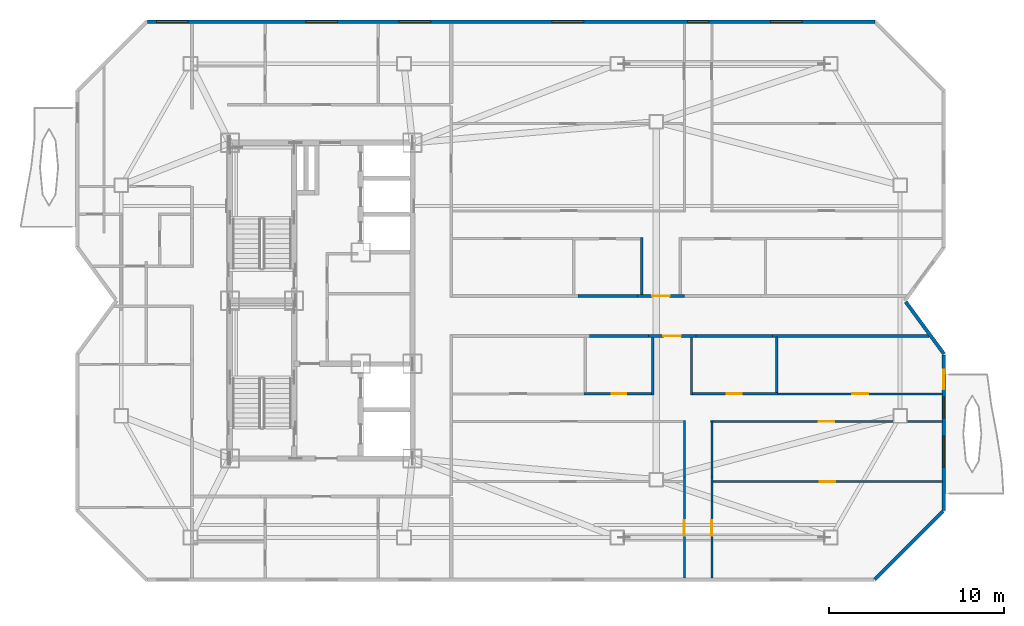
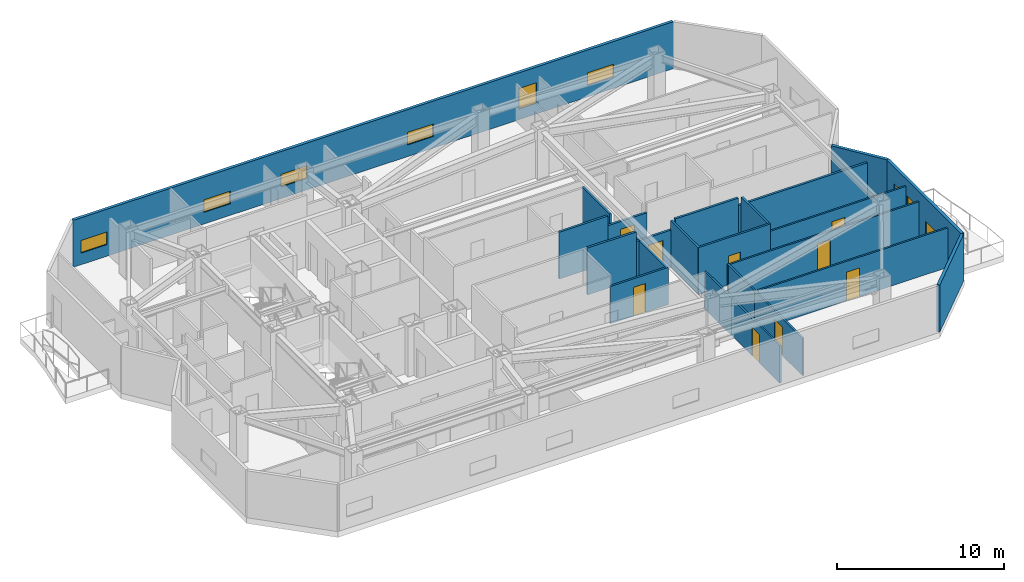
# One storey, part 7 of 10: 23 walls, 10 doors, 8 windows, 18 openings.
"""IFC4 building model written with IfcOpenShell, lengths in metres."""

from ifc_helpers import new_model, si_unit, direction, frame, frame_2d, origin, place, context, subcontext, project, spatial, rectangle, extrude, material, layer, layer_set, type_object, element, fill, save


model = new_model("IFC4")

# Units and contexts
model_context = context("Model", 3, precision=1e-05, world=origin(), true_north=direction((0.0, 1.0)))
body_context = subcontext(model_context, "Body", "Model", "MODEL_VIEW")
ifc_project = project(units=[si_unit("LENGTHUNIT", "METRE"), si_unit("AREAUNIT", "SQUARE_METRE"), si_unit("VOLUMEUNIT", "CUBIC_METRE"), si_unit("PLANEANGLEUNIT", "RADIAN"), si_unit("MASSUNIT", "GRAM", prefix="KILO")], contexts=[model_context])

# Site, building, storey
site_placement = place(None, origin())
site = spatial("IfcSite", under=ifc_project, at=site_placement, CompositionType="ELEMENT")
building_placement = place(site_placement, origin())
building = spatial("IfcBuilding", under=site, at=building_placement, Name="Khamvora Tower", CompositionType="ELEMENT")
storey_placement = place(building_placement, frame((0.0, 0.0, 217.199951171875)))
storey = spatial("IfcBuildingStorey", under=building, at=storey_placement, Name="L55", CompositionType="ELEMENT", Elevation=217.199951171875)

# Wall
ifc_material_1 = material(Name="Fire-Rated Drywall and Steel Stud", Category="steel")
ifc_layer_1 = layer(ifc_material_1, 0.14990234375)
ifc_layer_set_1 = layer_set([ifc_layer_1], Name="Fire-Rated Drywall and Steel Stud")
wall_type_1 = type_object("IfcWallType", Name="WAL-CORR-150", PredefinedType="STANDARD", material=ifc_layer_set_1)
wall_1_placement = place(storey_placement, frame((68.85009765625, 25.985107421875, 0.0), z_axis=(0.0, 0.0, 1.0), x_axis=(-1.0, 0.0, 0.0)))
element("IfcWall", 1, at=wall_1_placement, inside=storey, type_object=wall_type_1, Name="L55 interior partition wall 020", PredefinedType="STANDARD", context=body_context, shape_type="SweptSolid", body=[
    extrude(rectangle(XDim=8.926025390625, YDim=0.14990234375, at=frame_2d((4.462890625, 0.0))), origin(), (0.0, 0.0, 1.0), 2.886962890625),
])

# Wall, opening, door
wall_2_placement = place(storey_placement, frame((55.556884765625, 25.985107421875, 0.0), z_axis=(0.0, 0.0, 1.0), x_axis=(-1.0, 0.0, 0.0)))
wall_2 = element("IfcWall", 2, at=wall_2_placement, inside=storey, type_object=wall_type_1, Name="L55 interior partition wall 021", PredefinedType="STANDARD", context=body_context, shape_type="SweptSolid", body=[
    extrude(rectangle(XDim=2.697998046875, YDim=0.14990234375, at=frame_2d((1.34912109375, 0.0))), origin(), (0.0, 0.0, 1.0), 2.72509765625),
])
opening_1_placement = place(wall_2_placement, frame((0.84912109375, 0.0, 0.0)))
opening_1 = element("IfcOpeningElement", 3, at=opening_1_placement, cuts=wall_2, Name="Opening D-U1", PredefinedType="OPENING", context=body_context, shape_type="SweptSolid", body=[
    extrude(rectangle(XDim=1.0, YDim=2.14990234375, at=frame_2d((0.5, 1.074951171875))), frame((0.0, 0.0849609375, 0.0), z_axis=(0.0, -1.0, 0.0), x_axis=(1.0, 0.0, 0.0)), (0.0, 0.0, 1.0), 0.169921875),
])
ifc_material_2 = material(Name="Powder-Coated Steel and Hardwood Leaf", Category="steel")
door_type_1 = type_object("IfcDoorType", Name="DOR-UNIT-1000", OperationType="NOTDEFINED", PredefinedType="DOOR", material=ifc_material_2)
door_1_placement = place(opening_1_placement, origin())
door_1 = element("IfcDoor", 4, at=door_1_placement, inside=storey, type_object=door_type_1, Name="L55 interior door COR-55EAH", OperationType="SINGLE_SWING_RIGHT", OverallHeight=2.14990234375, OverallWidth=1.0, PredefinedType="DOOR", context=body_context, shape_type="SweptSolid", body=[
    extrude(rectangle(XDim=1.0, YDim=2.14990234375, at=frame_2d((0.5, 1.074951171875))), frame((0.0, 0.02490234375, 0.0), z_axis=(0.0, -1.0, 0.0), x_axis=(1.0, 0.0, 0.0)), (0.0, 0.0, 1.0), 0.050048828125),
])
fill(opening_1, door_1)

# Walls
wall_3_placement = place(storey_placement, frame((52.85888671875, 25.985107421875, 0.0), z_axis=(0.0, 0.0, 1.0), x_axis=(-1.0, 0.0, 0.0)))
element("IfcWall", 5, at=wall_3_placement, inside=storey, type_object=wall_type_1, Name="L55 interior partition wall 023", PredefinedType="STANDARD", context=body_context, shape_type="SweptSolid", body=[
    extrude(rectangle(XDim=3.366943359375, YDim=0.14990234375, at=frame_2d((1.68359375, 0.0))), origin(), (0.0, 0.0, 1.0), 3.429931640625),
])
wall_4_placement = place(storey_placement, frame((59.924072265625, 25.985107421875, 0.0), z_axis=(0.0, 0.0, 1.0), x_axis=(-1.0, 0.0, 0.0)))
element("IfcWall", 6, at=wall_4_placement, inside=storey, type_object=wall_type_1, Name="L55 interior partition wall 024", PredefinedType="STANDARD", context=body_context, shape_type="SweptSolid", body=[
    extrude(rectangle(XDim=4.3671875, YDim=0.14990234375, at=frame_2d((2.18359375, 0.0))), origin(), (0.0, 0.0, 1.0), 3.429931640625),
])

# Wall, opening, door
wall_5_placement = place(storey_placement, frame((52.217041015625, 28.264892578125, 0.0), z_axis=(0.0, 0.0, 1.0), x_axis=(1.0, 0.0, 0.0)))
wall_5 = element("IfcWall", 7, at=wall_5_placement, inside=storey, type_object=wall_type_1, Name="L55 interior partition wall 031", PredefinedType="STANDARD", context=body_context, shape_type="SweptSolid", body=[
    extrude(rectangle(XDim=2.697998046875, YDim=0.14990234375, at=frame_2d((1.34912109375, 0.0))), origin(), (0.0, 0.0, 1.0), 2.72509765625),
])
opening_2_placement = place(wall_5_placement, frame((0.84912109375, 0.0, 0.0)))
opening_2 = element("IfcOpeningElement", 8, at=opening_2_placement, cuts=wall_5, Name="Opening D-U1", PredefinedType="OPENING", context=body_context, shape_type="SweptSolid", body=[
    extrude(rectangle(XDim=1.0, YDim=2.14990234375, at=frame_2d((0.5, 1.074951171875))), frame((0.0, 0.0849609375, 0.0), z_axis=(0.0, -1.0, 0.0), x_axis=(1.0, 0.0, 0.0)), (0.0, 0.0, 1.0), 0.169921875),
])
door_2_placement = place(opening_2_placement, origin())
door_2 = element("IfcDoor", 9, at=door_2_placement, inside=storey, type_object=door_type_1, Name="L55 interior door COR-55EBH", OperationType="SINGLE_SWING_LEFT", OverallHeight=2.14990234375, OverallWidth=1.0, PredefinedType="DOOR", context=body_context, shape_type="SweptSolid", body=[
    extrude(rectangle(XDim=1.0, YDim=2.14990234375, at=frame_2d((0.5, 1.074951171875))), frame((0.0, 0.02490234375, 0.0), z_axis=(0.0, -1.0, 0.0), x_axis=(1.0, 0.0, 0.0)), (0.0, 0.0, 1.0), 0.050048828125),
])
fill(opening_2, door_2)

# Wall
wall_6_placement = place(storey_placement, frame((48.85009765625, 28.264892578125, 0.0), z_axis=(0.0, 0.0, 1.0), x_axis=(1.0, 0.0, 0.0)))
element("IfcWall", 10, at=wall_6_placement, inside=storey, type_object=wall_type_1, Name="L55 interior partition wall 032", PredefinedType="STANDARD", context=body_context, shape_type="SweptSolid", body=[
    extrude(rectangle(XDim=3.366943359375, YDim=0.14990234375, at=frame_2d((1.68359375, 0.0))), origin(), (0.0, 0.0, 1.0), 3.429931640625),
])

# Wall, openings, windows
ifc_material_3 = material(Name="Precast concrete C40/50", Category="concrete")
ifc_layer_2 = layer(ifc_material_3, 0.199951171875)
ifc_layer_set_2 = layer_set([ifc_layer_2], Name="Precast concrete C40/50")
wall_type_2 = type_object("IfcWallType", Name="WAL-EXT-200", PredefinedType="STANDARD", material=ifc_layer_set_2)
wall_7_placement = place(storey_placement, frame((24.302001953125, 43.89990234375, 0.0), z_axis=(0.0, 0.0, 1.0), x_axis=(1.0, 0.0, 0.0)))
wall_7 = element("IfcWall", 11, at=wall_7_placement, inside=storey, type_object=wall_type_2, Name="L55 exterior facade wall 07.1", PredefinedType="STANDARD", context=body_context, shape_type="SweptSolid", body=[
    extrude(rectangle(XDim=41.45703125, YDim=0.199951171875, at=frame_2d((20.728515625, 0.0))), origin(), (0.0, 0.0, 1.0), 3.429931640625),
])
opening_3_placement = place(wall_7_placement, frame((0.509033203125, 0.0, 0.85009765625)))
opening_3 = element("IfcOpeningElement", 12, at=opening_3_placement, cuts=wall_7, Name="Opening WN-09", PredefinedType="OPENING", context=body_context, shape_type="SweptSolid", body=[
    extrude(rectangle(XDim=1.800048828125, YDim=0.919921875, at=frame_2d((0.89990234375, 0.4599609375))), frame((0.0, 0.10986328125, 0.0), z_axis=(0.0, -1.0, 0.0), x_axis=(1.0, 0.0, 0.0)), (0.0, 0.0, 1.0), 0.219970703125),
])
opening_4_placement = place(wall_7_placement, frame((9.02294921875, 0.0, 0.85009765625)))
opening_4 = element("IfcOpeningElement", 13, at=opening_4_placement, cuts=wall_7, Name="Opening WN-09", PredefinedType="OPENING", context=body_context, shape_type="SweptSolid", body=[
    extrude(rectangle(XDim=1.800048828125, YDim=0.919921875, at=frame_2d((0.89990234375, 0.4599609375))), frame((0.0, 0.10986328125, 0.0), z_axis=(0.0, -1.0, 0.0), x_axis=(1.0, 0.0, 0.0)), (0.0, 0.0, 1.0), 0.219970703125),
])
opening_5_placement = place(wall_7_placement, frame((14.330078125, 0.0, 0.85009765625)))
opening_5 = element("IfcOpeningElement", 14, at=opening_5_placement, cuts=wall_7, Name="Opening WN-09", PredefinedType="OPENING", context=body_context, shape_type="SweptSolid", body=[
    extrude(rectangle(XDim=1.800048828125, YDim=0.919921875, at=frame_2d((0.89990234375, 0.4599609375))), frame((0.0, 0.10986328125, 0.0), z_axis=(0.0, -1.0, 0.0), x_axis=(1.0, 0.0, 0.0)), (0.0, 0.0, 1.0), 0.219970703125),
])
opening_6_placement = place(wall_7_placement, frame((30.782958984375, 0.0, 0.780029296875)))
opening_6 = element("IfcOpeningElement", 15, at=opening_6_placement, cuts=wall_7, Name="Opening WN-03", PredefinedType="OPENING", context=body_context, shape_type="SweptSolid", body=[
    extrude(rectangle(XDim=1.199951171875, YDim=1.5, at=frame_2d((0.60009765625, 0.75))), frame((0.0, 0.10986328125, 0.0), z_axis=(0.0, -1.0, 0.0), x_axis=(1.0, 0.0, 0.0)), (0.0, 0.0, 1.0), 0.219970703125),
])
opening_7_placement = place(wall_7_placement, frame((23.055908203125, 0.0, 0.85009765625)))
opening_7 = element("IfcOpeningElement", 16, at=opening_7_placement, cuts=wall_7, Name="Opening WN-09", PredefinedType="OPENING", context=body_context, shape_type="SweptSolid", body=[
    extrude(rectangle(XDim=1.800048828125, YDim=0.919921875, at=frame_2d((0.89990234375, 0.4599609375))), frame((0.0, 0.10986328125, 0.0), z_axis=(0.0, -1.0, 0.0), x_axis=(1.0, 0.0, 0.0)), (0.0, 0.0, 1.0), 0.219970703125),
])
opening_8_placement = place(wall_7_placement, frame((35.52001953125, 0.0, 0.85009765625)))
opening_8 = element("IfcOpeningElement", 17, at=opening_8_placement, cuts=wall_7, Name="Opening WN-09", PredefinedType="OPENING", context=body_context, shape_type="SweptSolid", body=[
    extrude(rectangle(XDim=1.800048828125, YDim=0.919921875, at=frame_2d((0.89990234375, 0.4599609375))), frame((0.0, 0.10986328125, 0.0), z_axis=(0.0, -1.0, 0.0), x_axis=(1.0, 0.0, 0.0)), (0.0, 0.0, 1.0), 0.219970703125),
])
ifc_material_4 = material(Name="Low-E Laminated Double Glazing", Category="glass")
window_type_1 = type_object("IfcWindowType", Name="WIN-CLR-1800x920", PartitioningType="SINGLE_PANEL", PredefinedType="WINDOW", material=ifc_material_4)
window_1_placement = place(opening_3_placement, origin())
window_1 = element("IfcWindow", 18, at=window_1_placement, inside=storey, type_object=window_type_1, Name="L55 vision window 07.1.01", OverallHeight=0.919921875, OverallWidth=1.800048828125, PartitioningType="SINGLE_PANEL", PredefinedType="WINDOW", context=body_context, shape_type="SweptSolid", body=[
    extrude(rectangle(XDim=1.800048828125, YDim=0.919921875, at=frame_2d((0.89990234375, 0.4599609375))), frame((0.0, 0.030029296875, 0.0), z_axis=(0.0, -1.0, 0.0), x_axis=(1.0, 0.0, 0.0)), (0.0, 0.0, 1.0), 0.06005859375),
])
fill(opening_3, window_1)
window_2_placement = place(opening_4_placement, origin())
window_2 = element("IfcWindow", 19, at=window_2_placement, inside=storey, type_object=window_type_1, Name="L55 vision window 07.1.02", OverallHeight=0.919921875, OverallWidth=1.800048828125, PartitioningType="SINGLE_PANEL", PredefinedType="WINDOW", context=body_context, shape_type="SweptSolid", body=[
    extrude(rectangle(XDim=1.800048828125, YDim=0.919921875, at=frame_2d((0.89990234375, 0.4599609375))), frame((0.0, 0.030029296875, 0.0), z_axis=(0.0, -1.0, 0.0), x_axis=(1.0, 0.0, 0.0)), (0.0, 0.0, 1.0), 0.06005859375),
])
fill(opening_4, window_2)
window_3_placement = place(opening_5_placement, origin())
window_3 = element("IfcWindow", 20, at=window_3_placement, inside=storey, type_object=window_type_1, Name="L55 vision window 07.1.03", OverallHeight=0.919921875, OverallWidth=1.800048828125, PartitioningType="SINGLE_PANEL", PredefinedType="WINDOW", context=body_context, shape_type="SweptSolid", body=[
    extrude(rectangle(XDim=1.800048828125, YDim=0.919921875, at=frame_2d((0.89990234375, 0.4599609375))), frame((0.0, 0.030029296875, 0.0), z_axis=(0.0, -1.0, 0.0), x_axis=(1.0, 0.0, 0.0)), (0.0, 0.0, 1.0), 0.06005859375),
])
fill(opening_5, window_3)
window_4_placement = place(opening_7_placement, origin())
window_4 = element("IfcWindow", 21, at=window_4_placement, inside=storey, type_object=window_type_1, Name="L55 vision window 07.1.05", OverallHeight=0.919921875, OverallWidth=1.800048828125, PartitioningType="SINGLE_PANEL", PredefinedType="WINDOW", context=body_context, shape_type="SweptSolid", body=[
    extrude(rectangle(XDim=1.800048828125, YDim=0.919921875, at=frame_2d((0.89990234375, 0.4599609375))), frame((0.0, 0.030029296875, 0.0), z_axis=(0.0, -1.0, 0.0), x_axis=(1.0, 0.0, 0.0)), (0.0, 0.0, 1.0), 0.06005859375),
])
fill(opening_7, window_4)
window_5_placement = place(opening_8_placement, origin())
window_5 = element("IfcWindow", 22, at=window_5_placement, inside=storey, type_object=window_type_1, Name="L55 vision window 07.1.06", OverallHeight=0.919921875, OverallWidth=1.800048828125, PartitioningType="SINGLE_PANEL", PredefinedType="WINDOW", context=body_context, shape_type="SweptSolid", body=[
    extrude(rectangle(XDim=1.800048828125, YDim=0.919921875, at=frame_2d((0.89990234375, 0.4599609375))), frame((0.0, 0.030029296875, 0.0), z_axis=(0.0, -1.0, 0.0), x_axis=(1.0, 0.0, 0.0)), (0.0, 0.0, 1.0), 0.06005859375),
])
fill(opening_8, window_5)
window_type_2 = type_object("IfcWindowType", Name="WIN-VIS-1200x1500", PartitioningType="SINGLE_PANEL", PredefinedType="WINDOW", material=ifc_material_4)
window_6_placement = place(opening_6_placement, origin())
window_6 = element("IfcWindow", 23, at=window_6_placement, inside=storey, type_object=window_type_2, Name="L55 vision window 07.1.04", OverallHeight=1.5, OverallWidth=1.199951171875, PartitioningType="SINGLE_PANEL", PredefinedType="WINDOW", context=body_context, shape_type="SweptSolid", body=[
    extrude(rectangle(XDim=1.199951171875, YDim=1.5, at=frame_2d((0.60009765625, 0.75))), frame((0.0, 0.030029296875, 0.0), z_axis=(0.0, -1.0, 0.0), x_axis=(1.0, 0.0, 0.0)), (0.0, 0.0, 1.0), 0.06005859375),
])
fill(opening_6, window_6)

# Wall
wall_8_placement = place(storey_placement, frame((67.527099609375, 27.930908203125, 0.0), z_axis=(0.0, 0.0, 1.0), x_axis=(0.591248456881, -0.80648946815, 0.0)))
element("IfcWall", 24, at=wall_8_placement, inside=storey, type_object=wall_type_2, Name="L55 exterior facade wall 11.1", PredefinedType="STANDARD", context=body_context, shape_type="SweptSolid", body=[
    extrude(rectangle(XDim=3.675048828125, YDim=0.199951171875, at=frame_2d((1.83740234375, 0.0))), origin(), (0.0, 0.0, 1.0), 3.429931640625),
])

# Wall, openings, door, windows
wall_9_placement = place(storey_placement, frame((69.699951171875, 24.916015625, 0.0), z_axis=(0.0, 0.0, 1.0), x_axis=(0.0, -1.0, 0.0)))
wall_9 = element("IfcWall", 25, at=wall_9_placement, inside=storey, type_object=wall_type_2, Name="L55 exterior facade wall 12.1", PredefinedType="STANDARD", context=body_context, shape_type="SweptSolid", body=[
    extrude(rectangle(XDim=8.875, YDim=0.199951171875, at=frame_2d((4.4375, 0.0))), origin(), (0.0, 0.0, 1.0), 3.429931640625),
])
opening_9_placement = place(wall_9_placement, frame((0.865966796875, 0.0, 0.0)))
opening_9 = element("IfcOpeningElement", 26, at=opening_9_placement, cuts=wall_9, Name="Opening BD-01", PredefinedType="OPENING", context=body_context, shape_type="SweptSolid", body=[
    extrude(rectangle(XDim=1.10009765625, YDim=2.199951171875, at=frame_2d((0.550048828125, 1.10009765625))), frame((0.0, 0.10986328125, 0.0), z_axis=(0.0, -1.0, 0.0), x_axis=(1.0, 0.0, 0.0)), (0.0, 0.0, 1.0), 0.219970703125),
])
opening_10_placement = place(wall_9_placement, frame((2.4169921875, 0.0, 0.780029296875)))
opening_10 = element("IfcOpeningElement", 27, at=opening_10_placement, cuts=wall_9, Name="Opening WN-03", PredefinedType="OPENING", context=body_context, shape_type="SweptSolid", body=[
    extrude(rectangle(XDim=1.199951171875, YDim=1.5, at=frame_2d((0.60009765625, 0.75))), frame((0.0, 0.10986328125, 0.0), z_axis=(0.0, -1.0, 0.0), x_axis=(1.0, 0.0, 0.0)), (0.0, 0.0, 1.0), 0.219970703125),
])
opening_11_placement = place(wall_9_placement, frame((4.618896484375, 0.0, 0.85009765625)))
opening_11 = element("IfcOpeningElement", 28, at=opening_11_placement, cuts=wall_9, Name="Opening WN-09", PredefinedType="OPENING", context=body_context, shape_type="SweptSolid", body=[
    extrude(rectangle(XDim=1.800048828125, YDim=0.919921875, at=frame_2d((0.89990234375, 0.4599609375))), frame((0.0, 0.10986328125, 0.0), z_axis=(0.0, -1.0, 0.0), x_axis=(1.0, 0.0, 0.0)), (0.0, 0.0, 1.0), 0.219970703125),
])
ifc_material_5 = material(Name="Anodised Aluminium and Laminated Safety Glass", Category="aluminium")
door_type_2 = type_object("IfcDoorType", Name="DOR-BAL-1100", OperationType="NOTDEFINED", PredefinedType="DOOR", material=ifc_material_5)
door_3_placement = place(opening_9_placement, origin())
door_3 = element("IfcDoor", 29, at=door_3_placement, inside=storey, type_object=door_type_2, Name="L55 lens gallery balcony door EL1", OperationType="SLIDING_TO_LEFT", OverallHeight=2.199951171875, OverallWidth=1.10009765625, PredefinedType="DOOR", context=body_context, shape_type="SweptSolid", body=[
    extrude(rectangle(XDim=1.10009765625, YDim=2.199951171875, at=frame_2d((0.550048828125, 1.10009765625))), frame((0.0, 0.02490234375, 0.0), z_axis=(0.0, -1.0, 0.0), x_axis=(1.0, 0.0, 0.0)), (0.0, 0.0, 1.0), 0.050048828125),
])
fill(opening_9, door_3)
window_7_placement = place(opening_11_placement, origin())
window_7 = element("IfcWindow", 30, at=window_7_placement, inside=storey, type_object=window_type_1, Name="L55 vision window 12.1.02", OverallHeight=0.919921875, OverallWidth=1.800048828125, PartitioningType="SINGLE_PANEL", PredefinedType="WINDOW", context=body_context, shape_type="SweptSolid", body=[
    extrude(rectangle(XDim=1.800048828125, YDim=0.919921875, at=frame_2d((0.89990234375, 0.4599609375))), frame((0.0, 0.030029296875, 0.0), z_axis=(0.0, -1.0, 0.0), x_axis=(1.0, 0.0, 0.0)), (0.0, 0.0, 1.0), 0.06005859375),
])
fill(opening_11, window_7)
window_8_placement = place(opening_10_placement, origin())
window_8 = element("IfcWindow", 31, at=window_8_placement, inside=storey, type_object=window_type_2, Name="L55 vision window 12.1.01", OverallHeight=1.5, OverallWidth=1.199951171875, PartitioningType="SINGLE_PANEL", PredefinedType="WINDOW", context=body_context, shape_type="SweptSolid", body=[
    extrude(rectangle(XDim=1.199951171875, YDim=1.5, at=frame_2d((0.60009765625, 0.75))), frame((0.0, 0.030029296875, 0.0), z_axis=(0.0, -1.0, 0.0), x_axis=(1.0, 0.0, 0.0)), (0.0, 0.0, 1.0), 0.06005859375),
])
fill(opening_10, window_8)

# Wall
wall_10_placement = place(storey_placement, frame((69.655029296875, 15.99609375, 0.0), z_axis=(0.0, 0.0, 1.0), x_axis=(-0.707106781187, -0.707106781187, 0.0)))
element("IfcWall", 32, at=wall_10_placement, inside=storey, type_object=wall_type_2, Name="L55 exterior facade wall 13.1", PredefinedType="STANDARD", context=body_context, shape_type="SweptSolid", body=[
    extrude(rectangle(XDim=5.509765625, YDim=0.199951171875, at=frame_2d((2.7548828125, 0.0))), origin(), (0.0, 0.0, 1.0), 3.429931640625),
])

# Wall, opening, door
ifc_material_6 = material(Name="Gypsum Plasterboard Partition", Category="gypsum")
ifc_layer_3 = layer(ifc_material_6, 0.1201171875)
ifc_layer_set_3 = layer_set([ifc_layer_3], Name="Gypsum Plasterboard Partition")
wall_type_3 = type_object("IfcWallType", Name="WAL-PART-120", PredefinedType="PARTITIONING", material=ifc_layer_set_3)
wall_11_placement = place(storey_placement, frame((69.60791015625, 22.68896484375, 0.0), z_axis=(0.0, 0.0, 1.0), x_axis=(-1.0, 0.0, 0.0)))
wall_11 = element("IfcWall", 33, at=wall_11_placement, inside=storey, type_object=wall_type_3, Name="L55 interior partition wall 063", PredefinedType="PARTITIONING", context=body_context, shape_type="SweptSolid", body=[
    extrude(rectangle(XDim=9.369873046875, YDim=0.1201171875, at=frame_2d((4.68505859375, 0.0))), origin(), (0.0, 0.0, 1.0), 2.886962890625),
])
opening_12_placement = place(wall_11_placement, frame((4.235107421875, 0.0, 0.0)))
opening_12 = element("IfcOpeningElement", 34, at=opening_12_placement, cuts=wall_11, Name="Opening D-RM1", PredefinedType="OPENING", context=body_context, shape_type="SweptSolid", body=[
    extrude(rectangle(XDim=0.89990234375, YDim=2.10009765625, at=frame_2d((0.449951171875, 1.050048828125))), frame((0.0, 0.070068359375, 0.0), z_axis=(0.0, -1.0, 0.0), x_axis=(1.0, 0.0, 0.0)), (0.0, 0.0, 1.0), 0.14013671875),
])
door_type_3 = type_object("IfcDoorType", Name="DOR-ROOM-900", OperationType="NOTDEFINED", PredefinedType="DOOR", material=ifc_material_2)
door_4_placement = place(opening_12_placement, origin())
door_4 = element("IfcDoor", 35, at=door_4_placement, inside=storey, type_object=door_type_3, Name="L55 interior door 55EAW2-55EAH", OperationType="SINGLE_SWING_RIGHT", OverallHeight=2.10009765625, OverallWidth=0.89990234375, PredefinedType="DOOR", context=body_context, shape_type="SweptSolid", body=[
    extrude(rectangle(XDim=0.89990234375, YDim=2.10009765625, at=frame_2d((0.449951171875, 1.050048828125))), frame((0.0, 0.02490234375, 0.0), z_axis=(0.0, -1.0, 0.0), x_axis=(1.0, 0.0, 0.0)), (0.0, 0.0, 1.0), 0.050048828125),
])
fill(opening_12, door_4)

wall_12_placement = place(storey_placement, frame((54.89990234375, 12.19189453125, 0.0), z_axis=(0.0, 0.0, 1.0), x_axis=(0.0, 1.0, 0.0)))
wall_12 = element("IfcWall", 36, at=wall_12_placement, inside=storey, type_object=wall_type_3, Name="L55 interior partition wall 069", PredefinedType="PARTITIONING", context=body_context, shape_type="SweptSolid", body=[
    extrude(rectangle(XDim=5.7431640625, YDim=0.1201171875, at=frame_2d((2.87158203125, 0.0))), origin(), (0.0, 0.0, 1.0), 2.72509765625),
])
opening_13_placement = place(wall_12_placement, frame((2.39990234375, 0.0, 0.0)))
opening_13 = element("IfcOpeningElement", 37, at=opening_13_placement, cuts=wall_12, Name="Opening D-RM1", PredefinedType="OPENING", context=body_context, shape_type="SweptSolid", body=[
    extrude(rectangle(XDim=0.89990234375, YDim=2.10009765625, at=frame_2d((0.449951171875, 1.050048828125))), frame((0.0, 0.070068359375, 0.0), z_axis=(0.0, -1.0, 0.0), x_axis=(1.0, 0.0, 0.0)), (0.0, 0.0, 1.0), 0.14013671875),
])
door_5_placement = place(opening_13_placement, origin())
door_5 = element("IfcDoor", 38, at=door_5_placement, inside=storey, type_object=door_type_3, Name="L55 interior door 55EAH-55EAR1", OperationType="SINGLE_SWING_LEFT", OverallHeight=2.10009765625, OverallWidth=0.89990234375, PredefinedType="DOOR", context=body_context, shape_type="SweptSolid", body=[
    extrude(rectangle(XDim=0.89990234375, YDim=2.10009765625, at=frame_2d((0.449951171875, 1.050048828125))), frame((0.0, 0.02490234375, 0.0), z_axis=(0.0, -1.0, 0.0), x_axis=(1.0, 0.0, 0.0)), (0.0, 0.0, 1.0), 0.050048828125),
])
fill(opening_13, door_5)

# Wall
wall_13_placement = place(storey_placement, frame((54.89990234375, 17.93505859375, 0.0), z_axis=(0.0, 0.0, 1.0), x_axis=(0.0, 1.0, 0.0)))
element("IfcWall", 39, at=wall_13_placement, inside=storey, type_object=wall_type_3, Name="L55 interior partition wall 070", PredefinedType="PARTITIONING", context=body_context, shape_type="SweptSolid", body=[
    extrude(rectangle(XDim=3.239013671875, YDim=0.1201171875, at=frame_2d((1.61962890625, 0.0))), origin(), (0.0, 0.0, 1.0), 2.72509765625),
])

# Wall, opening, door
wall_14_placement = place(storey_placement, frame((56.469970703125, 17.93505859375, 0.0), z_axis=(0.0, 0.0, 1.0), x_axis=(0.0, -1.0, 0.0)))
wall_14 = element("IfcWall", 40, at=wall_14_placement, inside=storey, type_object=wall_type_3, Name="L55 interior partition wall 072", PredefinedType="PARTITIONING", context=body_context, shape_type="SweptSolid", body=[
    extrude(rectangle(XDim=5.7431640625, YDim=0.1201171875, at=frame_2d((2.87158203125, 0.0))), origin(), (0.0, 0.0, 1.0), 2.72509765625),
])
opening_14_placement = place(wall_14_placement, frame((2.443115234375, 0.0, 0.0)))
opening_14 = element("IfcOpeningElement", 41, at=opening_14_placement, cuts=wall_14, Name="Opening D-RM1", PredefinedType="OPENING", context=body_context, shape_type="SweptSolid", body=[
    extrude(rectangle(XDim=0.89990234375, YDim=2.10009765625, at=frame_2d((0.449951171875, 1.050048828125))), frame((0.0, 0.070068359375, 0.0), z_axis=(0.0, -1.0, 0.0), x_axis=(1.0, 0.0, 0.0)), (0.0, 0.0, 1.0), 0.14013671875),
])
door_6_placement = place(opening_14_placement, origin())
door_6 = element("IfcDoor", 42, at=door_6_placement, inside=storey, type_object=door_type_3, Name="L55 interior door 55EAH-55EAR3", OperationType="SINGLE_SWING_LEFT", OverallHeight=2.10009765625, OverallWidth=0.89990234375, PredefinedType="DOOR", context=body_context, shape_type="SweptSolid", body=[
    extrude(rectangle(XDim=0.89990234375, YDim=2.10009765625, at=frame_2d((0.449951171875, 1.050048828125))), frame((0.0, 0.02490234375, 0.0), z_axis=(0.0, -1.0, 0.0), x_axis=(1.0, 0.0, 0.0)), (0.0, 0.0, 1.0), 0.050048828125),
])
fill(opening_14, door_6)

wall_15_placement = place(storey_placement, frame((69.60791015625, 21.10888671875, 0.0), z_axis=(0.0, 0.0, 1.0), x_axis=(-1.0, 0.0, 0.0)))
wall_15 = element("IfcWall", 43, at=wall_15_placement, inside=storey, type_object=wall_type_3, Name="L55 interior partition wall 073", PredefinedType="PARTITIONING", context=body_context, shape_type="SweptSolid", body=[
    extrude(rectangle(XDim=13.202880859375, YDim=0.1201171875, at=frame_2d((6.6015625, 0.0))), origin(), (0.0, 0.0, 1.0), 2.72509765625),
])
opening_15_placement = place(wall_15_placement, frame((6.15087890625, 0.0, 0.0)))
opening_15 = element("IfcOpeningElement", 44, at=opening_15_placement, cuts=wall_15, Name="Opening D-RM1", PredefinedType="OPENING", context=body_context, shape_type="SweptSolid", body=[
    extrude(rectangle(XDim=0.89990234375, YDim=2.10009765625, at=frame_2d((0.449951171875, 1.050048828125))), frame((0.0, 0.070068359375, 0.0), z_axis=(0.0, -1.0, 0.0), x_axis=(1.0, 0.0, 0.0)), (0.0, 0.0, 1.0), 0.14013671875),
])
door_7_placement = place(opening_15_placement, origin())
door_7 = element("IfcDoor", 45, at=door_7_placement, inside=storey, type_object=door_type_3, Name="L55 interior door 55EAH-55EAR4", OperationType="SINGLE_SWING_RIGHT", OverallHeight=2.10009765625, OverallWidth=0.89990234375, PredefinedType="DOOR", context=body_context, shape_type="SweptSolid", body=[
    extrude(rectangle(XDim=0.89990234375, YDim=2.10009765625, at=frame_2d((0.449951171875, 1.050048828125))), frame((0.0, 0.02490234375, 0.0), z_axis=(0.0, -1.0, 0.0), x_axis=(1.0, 0.0, 0.0)), (0.0, 0.0, 1.0), 0.050048828125),
])
fill(opening_15, door_7)

# Wall
wall_16_placement = place(storey_placement, frame((56.469970703125, 21.174072265625, 0.0), z_axis=(0.0, 0.0, 1.0), x_axis=(0.0, -1.0, 0.0)))
element("IfcWall", 46, at=wall_16_placement, inside=storey, type_object=wall_type_3, Name="L55 interior partition wall 074", PredefinedType="PARTITIONING", context=body_context, shape_type="SweptSolid", body=[
    extrude(rectangle(XDim=3.239013671875, YDim=0.1201171875, at=frame_2d((1.61962890625, 0.0))), origin(), (0.0, 0.0, 1.0), 2.72509765625),
])

# Wall, opening, door
wall_17_placement = place(storey_placement, frame((56.52392578125, 17.68505859375, 0.0), z_axis=(0.0, 0.0, 1.0), x_axis=(1.0, 0.0, 0.0)))
wall_17 = element("IfcWall", 47, at=wall_17_placement, inside=storey, type_object=wall_type_3, Name="L55 interior partition wall 076", PredefinedType="PARTITIONING", context=body_context, shape_type="SweptSolid", body=[
    extrude(rectangle(XDim=13.083984375, YDim=0.1201171875, at=frame_2d((6.5419921875, 0.0))), origin(), (0.0, 0.0, 1.0), 2.886962890625),
])
opening_16_placement = place(wall_17_placement, frame((6.092041015625, 0.0, 0.0)))
opening_16 = element("IfcOpeningElement", 48, at=opening_16_placement, cuts=wall_17, Name="Opening D-RM1", PredefinedType="OPENING", context=body_context, shape_type="SweptSolid", body=[
    extrude(rectangle(XDim=0.89990234375, YDim=2.10009765625, at=frame_2d((0.449951171875, 1.050048828125))), frame((0.0, 0.070068359375, 0.0), z_axis=(0.0, -1.0, 0.0), x_axis=(1.0, 0.0, 0.0)), (0.0, 0.0, 1.0), 0.14013671875),
])
door_8_placement = place(opening_16_placement, origin())
door_8 = element("IfcDoor", 49, at=door_8_placement, inside=storey, type_object=door_type_3, Name="L55 interior door 55EAR3-55EAR4", OperationType="SINGLE_SWING_RIGHT", OverallHeight=2.10009765625, OverallWidth=0.89990234375, PredefinedType="DOOR", context=body_context, shape_type="SweptSolid", body=[
    extrude(rectangle(XDim=0.89990234375, YDim=2.10009765625, at=frame_2d((0.449951171875, 1.050048828125))), frame((0.0, 0.02490234375, 0.0), z_axis=(0.0, -1.0, 0.0), x_axis=(1.0, 0.0, 0.0)), (0.0, 0.0, 1.0), 0.050048828125),
])
fill(opening_16, door_8)

# Wall
ifc_material_7 = material(Name="Moisture-Resistant Plasterboard Partition", Category="gypsum")
ifc_layer_4 = layer(ifc_material_7, 0.135009765625)
ifc_layer_set_4 = layer_set([ifc_layer_4], Name="Moisture-Resistant Plasterboard Partition")
wall_type_4 = type_object("IfcWallType", Name="WAL-WET-135", PredefinedType="PARTITIONING", material=ifc_layer_set_4)
wall_18_placement = place(storey_placement, frame((60.173095703125, 22.75390625, 0.0), z_axis=(0.0, 0.0, 1.0), x_axis=(0.0, 1.0, 0.0)))
element("IfcWall", 50, at=wall_18_placement, inside=storey, type_object=wall_type_4, Name="L55 interior partition wall 064", PredefinedType="PARTITIONING", context=body_context, shape_type="SweptSolid", body=[
    extrude(rectangle(XDim=3.1640625, YDim=0.135009765625, at=frame_2d((1.58203125, 0.0))), origin(), (0.0, 0.0, 1.0), 3.429931640625),
])

# Wall, opening, door
wall_19_placement = place(storey_placement, frame((49.177978515625, 22.68896484375, 0.0), z_axis=(0.0, 0.0, 1.0), x_axis=(1.0, 0.0, 0.0)))
wall_19 = element("IfcWall", 51, at=wall_19_placement, inside=storey, type_object=wall_type_4, Name="L55 interior partition wall 065", PredefinedType="PARTITIONING", context=body_context, shape_type="SweptSolid", body=[
    extrude(rectangle(XDim=3.9951171875, YDim=0.135009765625, at=frame_2d((1.99755859375, 0.0))), origin(), (0.0, 0.0, 1.0), 2.72509765625),
])
opening_17_placement = place(wall_19_placement, frame((1.572998046875, 0.0, 0.0)))
opening_17 = element("IfcOpeningElement", 52, at=opening_17_placement, cuts=wall_19, Name="Opening D-WC1", PredefinedType="OPENING", context=body_context, shape_type="SweptSolid", body=[
    extrude(rectangle(XDim=0.85009765625, YDim=2.10009765625, at=frame_2d((0.425048828125, 1.050048828125))), frame((0.0, 0.077392578125, 0.0), z_axis=(0.0, -1.0, 0.0), x_axis=(1.0, 0.0, 0.0)), (0.0, 0.0, 1.0), 0.155029296875),
])
door_type_4 = type_object("IfcDoorType", Name="DOR-WET-850", OperationType="NOTDEFINED", PredefinedType="DOOR", material=ifc_material_2)
door_9_placement = place(opening_17_placement, origin())
door_9 = element("IfcDoor", 53, at=door_9_placement, inside=storey, type_object=door_type_4, Name="L55 interior door 55EAH-55EAB", OperationType="SINGLE_SWING_LEFT", OverallHeight=2.10009765625, OverallWidth=0.85009765625, PredefinedType="DOOR", context=body_context, shape_type="SweptSolid", body=[
    extrude(rectangle(XDim=0.85009765625, YDim=2.10009765625, at=frame_2d((0.425048828125, 1.050048828125))), frame((0.0, 0.02490234375, 0.0), z_axis=(0.0, -1.0, 0.0), x_axis=(1.0, 0.0, 0.0)), (0.0, 0.0, 1.0), 0.050048828125),
])
fill(opening_17, door_9)

# Walls
wall_20_placement = place(storey_placement, frame((53.10791015625, 22.6240234375, 0.0), z_axis=(0.0, 0.0, 1.0), x_axis=(0.0, 1.0, 0.0)))
element("IfcWall", 54, at=wall_20_placement, inside=storey, type_object=wall_type_4, Name="L55 interior partition wall 066", PredefinedType="PARTITIONING", context=body_context, shape_type="SweptSolid", body=[
    extrude(rectangle(XDim=3.2939453125, YDim=0.135009765625, at=frame_2d((1.64697265625, 0.0))), origin(), (0.0, 0.0, 1.0), 2.72509765625),
])
wall_21_placement = place(storey_placement, frame((55.30810546875, 25.91796875, 0.0), z_axis=(0.0, 0.0, 1.0), x_axis=(0.0, -1.0, 0.0)))
element("IfcWall", 55, at=wall_21_placement, inside=storey, type_object=wall_type_4, Name="L55 interior partition wall 067", PredefinedType="PARTITIONING", context=body_context, shape_type="SweptSolid", body=[
    extrude(rectangle(XDim=3.2939453125, YDim=0.135009765625, at=frame_2d((1.64697265625, 0.0))), origin(), (0.0, 0.0, 1.0), 3.429931640625),
])

# Wall, opening, door
wall_22_placement = place(storey_placement, frame((55.242919921875, 22.68896484375, 0.0), z_axis=(0.0, 0.0, 1.0), x_axis=(1.0, 0.0, 0.0)))
wall_22 = element("IfcWall", 56, at=wall_22_placement, inside=storey, type_object=wall_type_4, Name="L55 interior partition wall 068", PredefinedType="PARTITIONING", context=body_context, shape_type="SweptSolid", body=[
    extrude(rectangle(XDim=4.9951171875, YDim=0.135009765625, at=frame_2d((2.49755859375, 0.0))), origin(), (0.0, 0.0, 1.0), 3.429931640625),
])
opening_18_placement = place(wall_22_placement, frame((2.072998046875, 0.0, 0.0)))
opening_18 = element("IfcOpeningElement", 57, at=opening_18_placement, cuts=wall_22, Name="Opening D-RM2", PredefinedType="OPENING", context=body_context, shape_type="SweptSolid", body=[
    extrude(rectangle(XDim=0.85009765625, YDim=2.10009765625, at=frame_2d((0.425048828125, 1.050048828125))), frame((0.0, 0.077392578125, 0.0), z_axis=(0.0, -1.0, 0.0), x_axis=(1.0, 0.0, 0.0)), (0.0, 0.0, 1.0), 0.155029296875),
])
door_type_5 = type_object("IfcDoorType", Name="DOR-ROOM-850", OperationType="NOTDEFINED", PredefinedType="DOOR", material=ifc_material_2)
door_10_placement = place(opening_18_placement, origin())
door_10 = element("IfcDoor", 58, at=door_10_placement, inside=storey, type_object=door_type_5, Name="L55 interior door 55EAH-55EAK", OperationType="SINGLE_SWING_RIGHT", OverallHeight=2.10009765625, OverallWidth=0.85009765625, PredefinedType="DOOR", context=body_context, shape_type="SweptSolid", body=[
    extrude(rectangle(XDim=0.85009765625, YDim=2.10009765625, at=frame_2d((0.425048828125, 1.050048828125))), frame((0.0, 0.02490234375, 0.0), z_axis=(0.0, -1.0, 0.0), x_axis=(1.0, 0.0, 0.0)), (0.0, 0.0, 1.0), 0.050048828125),
])
fill(opening_18, door_10)

# Wall
wall_23_placement = place(storey_placement, frame((52.466064453125, 28.33203125, 0.0), z_axis=(0.0, 0.0, 1.0), x_axis=(0.0, 1.0, 0.0)))
element("IfcWall", 59, at=wall_23_placement, inside=storey, type_object=wall_type_4, Name="L55 interior partition wall 081", PredefinedType="PARTITIONING", context=body_context, shape_type="SweptSolid", body=[
    extrude(rectangle(XDim=3.26904296875, YDim=0.135009765625, at=frame_2d((1.634521484375, 0.0))), origin(), (0.0, 0.0, 1.0), 3.429931640625),
])

save(model, "model.ifc")
